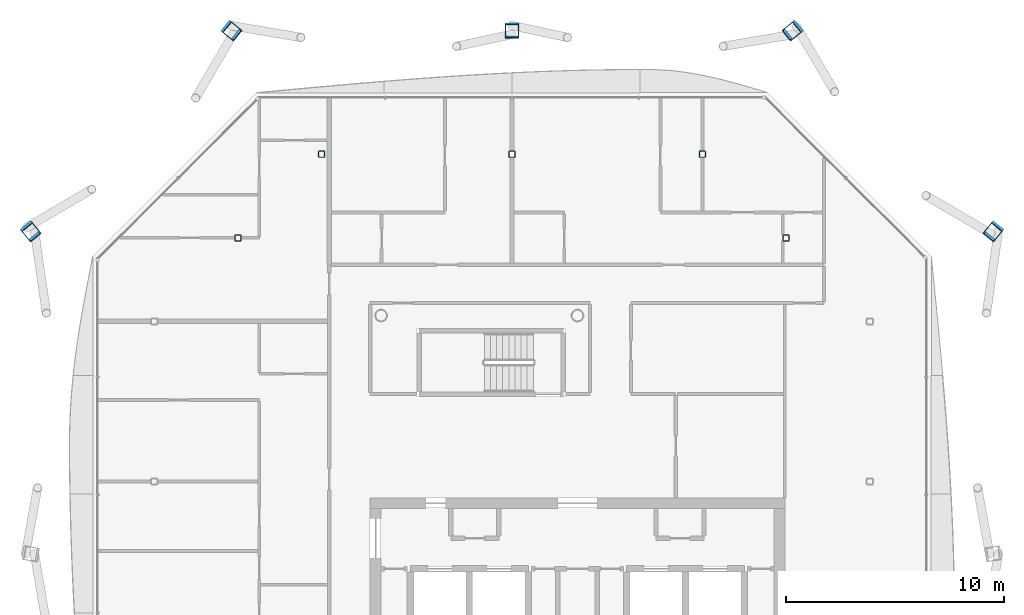
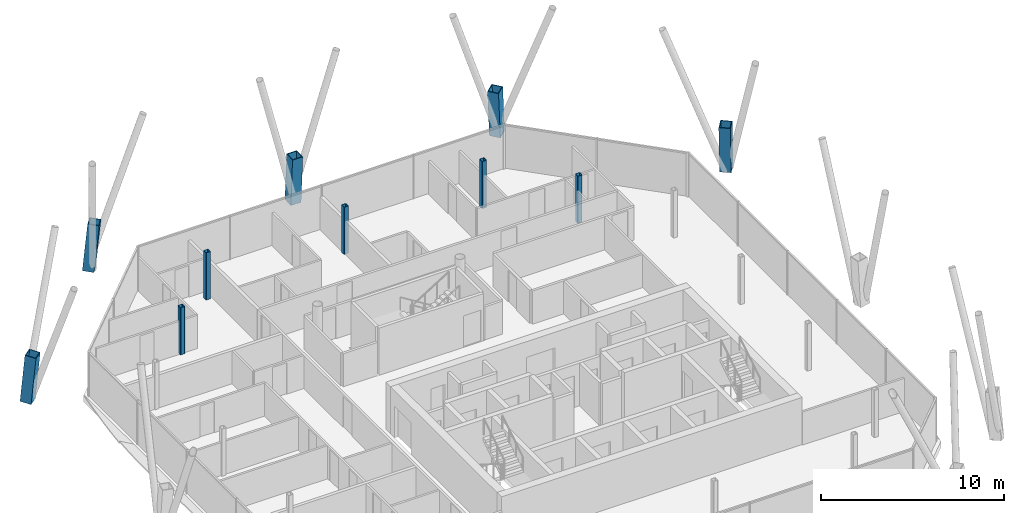
# One storey, part 3 of 18: 10 columns.
"""IFC4 building model written with IfcOpenShell, lengths in metres."""

from ifc_helpers import new_model, si_unit, direction, frame, origin, origin_2d, place, context, subcontext, project, spatial, hollow_rectangle, extrude, material, material_profile, profile_set, type_object, element, save


model = new_model("IFC4")

# Units and contexts
model_context = context("Model", 3, precision=1e-05, world=origin(), true_north=direction((0.0, 1.0)))
body_context = subcontext(model_context, "Body", "Model", "MODEL_VIEW")
ifc_project = project(units=[si_unit("LENGTHUNIT", "METRE"), si_unit("AREAUNIT", "SQUARE_METRE"), si_unit("VOLUMEUNIT", "CUBIC_METRE"), si_unit("PLANEANGLEUNIT", "RADIAN"), si_unit("MASSUNIT", "GRAM", prefix="KILO")], contexts=[model_context])

# Site, building, storey
site_placement = place(None, origin())
site = spatial("IfcSite", under=ifc_project, at=site_placement, CompositionType="ELEMENT")
building_placement = place(site_placement, origin())
building = spatial("IfcBuilding", under=site, at=building_placement, Name="Tskaro Facet Tower", CompositionType="ELEMENT")
storey_placement = place(building_placement, frame((0.0, 0.0, 217.199951171875)))
storey = spatial("IfcBuildingStorey", under=building, at=storey_placement, Name="L55", CompositionType="ELEMENT", Elevation=217.199951171875)

# Columns
ifc_material_1 = material(Name="Steel S355J2", Category="steel")
ifc_material_profile_1 = material_profile(ifc_material_1, hollow_rectangle(XDim=0.64990234375, YDim=0.64990234375, WallThickness=0.0400390625, at=origin_2d()), Name="BOX 650x650x40")
ifc_profile_set_1 = profile_set([ifc_material_profile_1], Name="Steel S355J2")
column_type_1 = type_object("IfcColumnType", Name="BOX 650x650x40 mega column", PredefinedType="COLUMN", material=ifc_profile_set_1)
for number, where, z_axis, x_axis, name in (
    (1, (19.0849609375, 12.89404296875, 0.0), (-0.057802797461, -0.07146247056, 0.995767016881), (0.777498997166, -0.628884178053, 0.0), "BOX 650x650x40 MC06/5"),
    (2, (9.89404296875, 22.0849609375, 0.0), (-0.07146247056, -0.057802797461, 0.995767016881), (0.628884178053, -0.777498997166, 0.0), "BOX 650x650x40 MC07/5"),
):
    element("IfcColumn", number, at=place(storey_placement, frame(where, z_axis=z_axis, x_axis=x_axis)), inside=storey, type_object=column_type_1, Name=name, PredefinedType="COLUMN", context=body_context, shape_type="SweptSolid", body=[
        extrude(hollow_rectangle(XDim=0.64990234375, YDim=0.64990234375, WallThickness=0.0400390625, at=origin_2d()), origin(), (0.0, 0.0, 1.0), 3.16357421875),
    ])
column_placement = place(storey_placement, frame((-3.0, 22.0849609375, 0.0), z_axis=(0.0, -0.057950961306, 0.998319430886), x_axis=(1.0, 0.0, 0.0)))
element("IfcColumn", 3, at=column_placement, inside=storey, type_object=column_type_1, Name="BOX 650x650x40 MC08/5", PredefinedType="COLUMN", context=body_context, shape_type="SweptSolid", body=[
    extrude(hollow_rectangle(XDim=0.64990234375, YDim=0.64990234375, WallThickness=0.0400390625, at=origin_2d()), origin(), (0.0, 0.0, 1.0), 3.155517578125),
])
for number, where, z_axis, x_axis, name in (
    (4, (-15.89404296875, 22.0849609375, 0.0), (0.07146247056, -0.057802797461, 0.995767016881), (0.628884178053, 0.777498997166, 0.0), "BOX 650x650x40 MC09/5"),
    (5, (-25.0849609375, 12.89404296875, 0.0), (0.057802797461, -0.07146247056, 0.995767016881), (0.777498997166, 0.628884178053, 0.0), "BOX 650x650x40 MC10/5"),
):
    element("IfcColumn", number, at=place(storey_placement, frame(where, z_axis=z_axis, x_axis=x_axis)), inside=storey, type_object=column_type_1, Name=name, PredefinedType="COLUMN", context=body_context, shape_type="SweptSolid", body=[
        extrude(hollow_rectangle(XDim=0.64990234375, YDim=0.64990234375, WallThickness=0.0400390625, at=origin_2d()), origin(), (0.0, 0.0, 1.0), 3.16357421875),
    ])
ifc_material_2 = material(Name="Steel S355J2H", Category="steel")
ifc_material_profile_2 = material_profile(ifc_material_2, hollow_rectangle(XDim=0.300048828125, YDim=0.300048828125, WallThickness=0.02001953125, InnerFilletRadius=0.030029296875, OuterFilletRadius=0.050048828125, at=origin_2d()), Name="SHS 300x300x20")
ifc_profile_set_2 = profile_set([ifc_material_profile_2], Name="Steel S355J2H")
column_type_2 = type_object("IfcColumnType", Name="SHS 300x300x20 ring column", PredefinedType="COLUMN", material=ifc_profile_set_2)
for number, where, z_axis, x_axis, name in (
    (6, (9.55810546875, 12.55810546875, 0.0), (0.0, 0.0, 1.0), (1.0, 0.0, 0.0), "SHS 300x300x20 RNE-2/5"),
    (7, (5.72509765625, 16.39111328125, 0.0), (0.0, 0.0, 1.0), (1.0, 0.0, 0.0), "SHS 300x300x20 RN-1/5"),
    (8, (-3.0, 16.39111328125, 0.0), (0.0, 0.0, 1.0), (1.0, 0.0, 0.0), "SHS 300x300x20 RN-2/5"),
    (9, (-11.72509765625, 16.39111328125, 0.0), (0.0, 0.0, 1.0), (1.0, 0.0, 0.0), "SHS 300x300x20 RNW-1/5"),
    (10, (-15.55810546875, 12.55810546875, 0.0), (0.0, 0.0, 1.0), (1.0, 0.0, 0.0), "SHS 300x300x20 RNW-2/5"),
):
    element("IfcColumn", number, at=place(storey_placement, frame(where, z_axis=z_axis, x_axis=x_axis)), inside=storey, type_object=column_type_2, Name=name, PredefinedType="COLUMN", context=body_context, shape_type="SweptSolid", body=[
        extrude(hollow_rectangle(XDim=0.300048828125, YDim=0.300048828125, WallThickness=0.02001953125, InnerFilletRadius=0.030029296875, OuterFilletRadius=0.050048828125, at=origin_2d()), origin(), (0.0, 0.0, 1.0), 3.150146484375),
    ])

save(model, "model.ifc")
